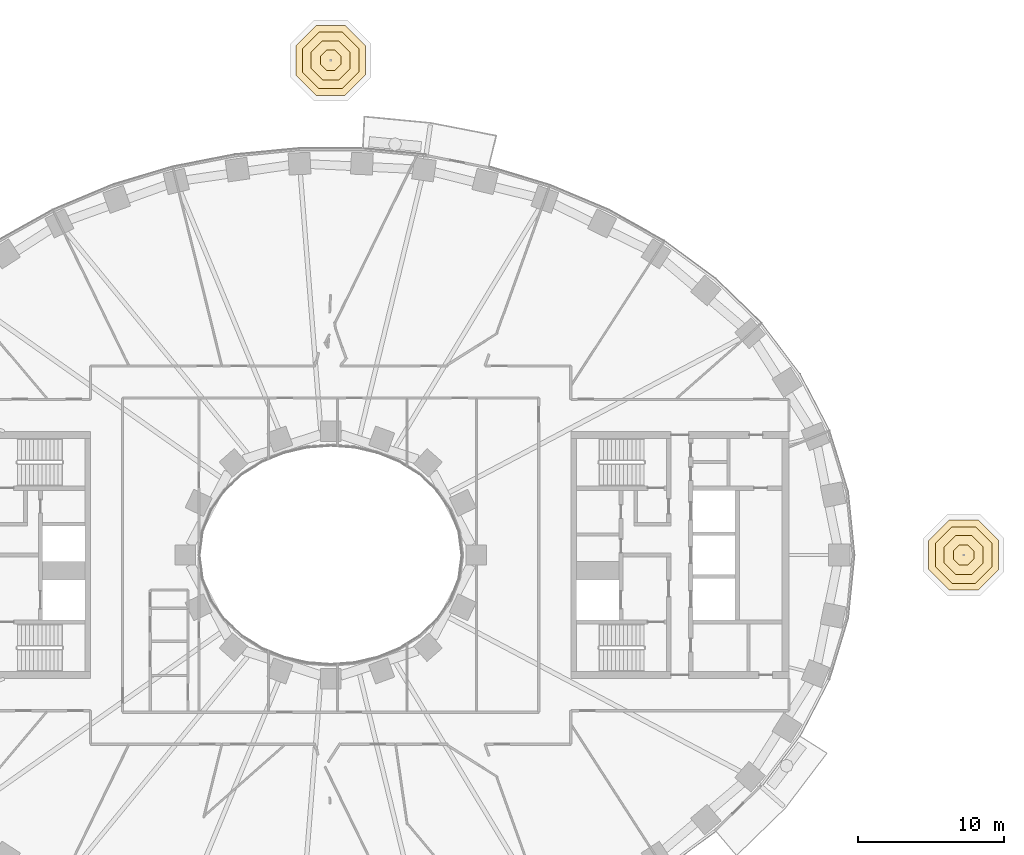
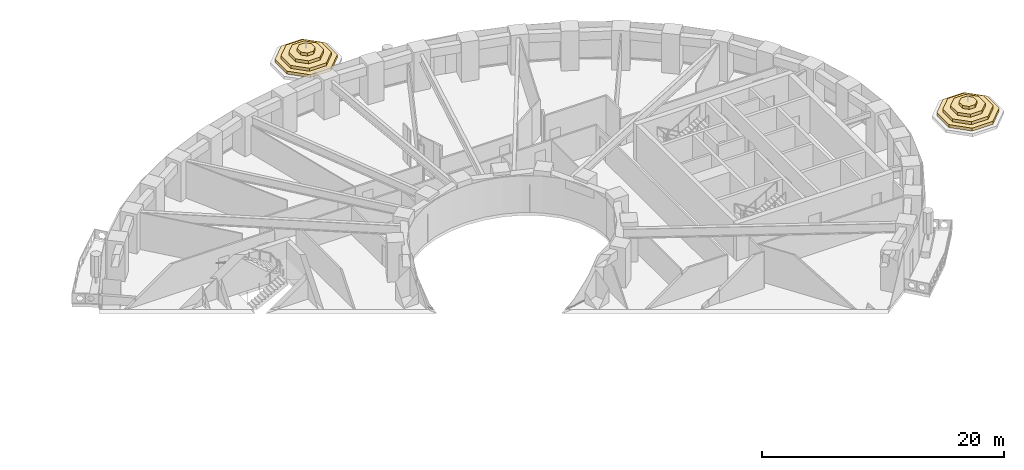
# One storey, part 15 of 20: 8 coverings.
"""IFC4 building model written with IfcOpenShell, lengths in metres."""

from ifc_helpers import new_model, si_unit, direction, frame, origin, place, context, subcontext, project, spatial, polyline, outline, extrude, material, layer, layer_set, type_object, element, save


model = new_model("IFC4")

# Units and contexts
model_context = context("Model", 3, precision=1e-05, world=origin(), true_north=direction((0.0, 1.0)))
body_context = subcontext(model_context, "Body", "Model", "MODEL_VIEW")
ifc_project = project(units=[si_unit("LENGTHUNIT", "METRE"), si_unit("AREAUNIT", "SQUARE_METRE"), si_unit("VOLUMEUNIT", "CUBIC_METRE"), si_unit("PLANEANGLEUNIT", "RADIAN"), si_unit("MASSUNIT", "GRAM", prefix="KILO")], contexts=[model_context])

# Site, building, storey
site_placement = place(None, origin())
site = spatial("IfcSite", under=ifc_project, at=site_placement, CompositionType="ELEMENT")
building_placement = place(site_placement, origin())
building = spatial("IfcBuilding", under=site, at=building_placement, Name="Noorbagh Ring Tower", CompositionType="ELEMENT")
storey_placement = place(building_placement, frame((0.0, 0.0, 34.5)))
storey = spatial("IfcBuildingStorey", under=building, at=storey_placement, Name="L06", CompositionType="ELEMENT", Elevation=34.5)

# Coverings
ifc_material = material(Name="Cream sandstone dome cladding", Category="masonry")
ifc_layer = layer(ifc_material, 0.300048828125)
ifc_layer_set = layer_set([ifc_layer], Name="Cream sandstone dome cladding")
covering_type = type_object("IfcCoveringType", Name="STY-DOME", PredefinedType="ROOFING", material=ifc_layer_set)
covering_1_placement = place(storey_placement, frame((0.0, 0.0, 0.300048828125)))
element("IfcCovering", 1, at=covering_1_placement, inside=storey, type_object=covering_type, Name="Chhatri 1 dome", PredefinedType="ROOFING", context=body_context, shape_type="SweptSolid", body=[
    extrude(outline(polyline([(45.902099609375, 0.9951171875), (44.4951171875, 2.402099609375), (42.5048828125, 2.402099609375), (41.097900390625, 0.9951171875), (41.097900390625, -0.9951171875), (42.5048828125, -2.402099609375), (44.4951171875, -2.402099609375), (45.902099609375, -0.9951171875), (45.902099609375, 0.9951171875)])), origin(), (0.0, 0.0, 1.0), 0.300048828125),
])
covering_2_placement = place(storey_placement, frame((0.0, 0.0, 0.60009765625)))
element("IfcCovering", 2, at=covering_2_placement, inside=storey, type_object=covering_type, Name="Chhatri 1 dome", PredefinedType="ROOFING", context=body_context, shape_type="SweptSolid", body=[
    extrude(outline(polyline([(45.440185546875, 0.8037109375), (44.3037109375, 1.940185546875), (42.6962890625, 1.940185546875), (41.559814453125, 0.8037109375), (41.559814453125, -0.8037109375), (42.6962890625, -1.940185546875), (44.3037109375, -1.940185546875), (45.440185546875, -0.8037109375), (45.440185546875, 0.8037109375)])), origin(), (0.0, 0.0, 1.0), 0.2998046875),
])
covering_3_placement = place(storey_placement, frame((0.0, 0.0, 0.89990234375)))
element("IfcCovering", 3, at=covering_3_placement, inside=storey, type_object=covering_type, Name="Chhatri 1 dome", PredefinedType="ROOFING", context=body_context, shape_type="SweptSolid", body=[
    extrude(outline(polyline([(44.839599609375, 0.554931640625), (44.054931640625, 1.339599609375), (42.945068359375, 1.339599609375), (42.160400390625, 0.554931640625), (42.160400390625, -0.554931640625), (42.945068359375, -1.339599609375), (44.054931640625, -1.339599609375), (44.839599609375, -0.554931640625), (44.839599609375, 0.554931640625)])), origin(), (0.0, 0.0, 1.0), 0.300048828125),
])
covering_4_placement = place(storey_placement, frame((0.0, 0.0, 1.199951171875)))
element("IfcCovering", 4, at=covering_4_placement, inside=storey, type_object=covering_type, Name="Chhatri 1 dome", PredefinedType="ROOFING", context=body_context, shape_type="SweptSolid", body=[
    extrude(outline(polyline([(44.19287109375, 0.287109375), (43.787109375, 0.69287109375), (43.212890625, 0.69287109375), (42.80712890625, 0.287109375), (42.80712890625, -0.287109375), (43.212890625, -0.69287109375), (43.787109375, -0.69287109375), (44.19287109375, -0.287109375), (44.19287109375, 0.287109375)])), origin(), (0.0, 0.0, 1.0), 0.300048828125),
])
covering_5_placement = place(storey_placement, frame((0.0, 0.0, 0.300048828125)))
element("IfcCovering", 5, at=covering_5_placement, inside=storey, type_object=covering_type, Name="Chhatri 3 dome", PredefinedType="ROOFING", context=body_context, shape_type="SweptSolid", body=[
    extrude(outline(polyline([(2.402099609375, 34.9951171875), (0.9951171875, 36.402099609375), (-0.9951171875, 36.402099609375), (-2.402099609375, 34.9951171875), (-2.402099609375, 33.0048828125), (-0.9951171875, 31.597900390625), (0.9951171875, 31.597900390625), (2.402099609375, 33.0048828125), (2.402099609375, 34.9951171875)])), origin(), (0.0, 0.0, 1.0), 0.300048828125),
])
covering_6_placement = place(storey_placement, frame((0.0, 0.0, 0.60009765625)))
element("IfcCovering", 6, at=covering_6_placement, inside=storey, type_object=covering_type, Name="Chhatri 3 dome", PredefinedType="ROOFING", context=body_context, shape_type="SweptSolid", body=[
    extrude(outline(polyline([(1.940185546875, 34.8037109375), (0.8037109375, 35.940185546875), (-0.8037109375, 35.940185546875), (-1.940185546875, 34.8037109375), (-1.940185546875, 33.1962890625), (-0.8037109375, 32.059814453125), (0.8037109375, 32.059814453125), (1.940185546875, 33.1962890625), (1.940185546875, 34.8037109375)])), origin(), (0.0, 0.0, 1.0), 0.2998046875),
])
covering_7_placement = place(storey_placement, frame((0.0, 0.0, 0.89990234375)))
element("IfcCovering", 7, at=covering_7_placement, inside=storey, type_object=covering_type, Name="Chhatri 3 dome", PredefinedType="ROOFING", context=body_context, shape_type="SweptSolid", body=[
    extrude(outline(polyline([(1.339599609375, 34.554931640625), (0.554931640625, 35.339599609375), (-0.554931640625, 35.339599609375), (-1.339599609375, 34.554931640625), (-1.339599609375, 33.445068359375), (-0.554931640625, 32.660400390625), (0.554931640625, 32.660400390625), (1.339599609375, 33.445068359375), (1.339599609375, 34.554931640625)])), origin(), (0.0, 0.0, 1.0), 0.300048828125),
])
covering_8_placement = place(storey_placement, frame((0.0, 0.0, 1.199951171875)))
element("IfcCovering", 8, at=covering_8_placement, inside=storey, type_object=covering_type, Name="Chhatri 3 dome", PredefinedType="ROOFING", context=body_context, shape_type="SweptSolid", body=[
    extrude(outline(polyline([(0.69287109375, 34.287109375), (0.287109375, 34.69287109375), (-0.287109375, 34.69287109375), (-0.69287109375, 34.287109375), (-0.69287109375, 33.712890625), (-0.287109375, 33.30712890625), (0.287109375, 33.30712890625), (0.69287109375, 33.712890625), (0.69287109375, 34.287109375)])), origin(), (0.0, 0.0, 1.0), 0.300048828125),
])

save(model, "model.ifc")
